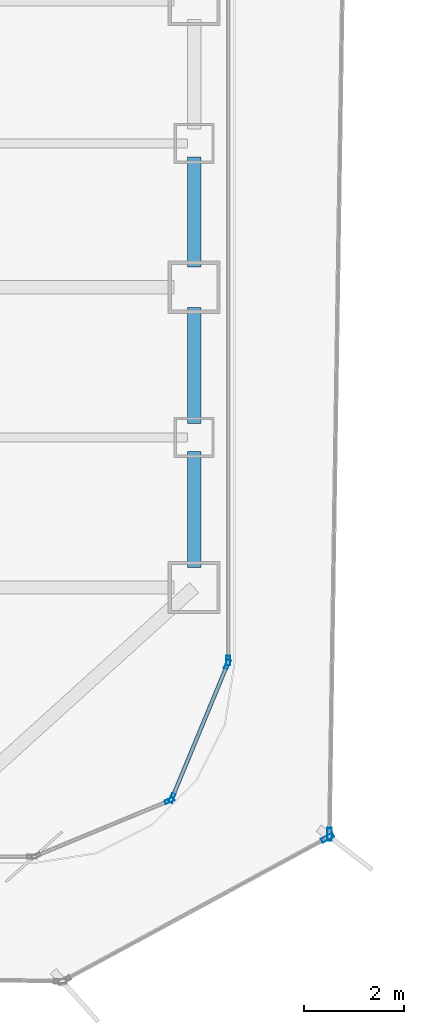
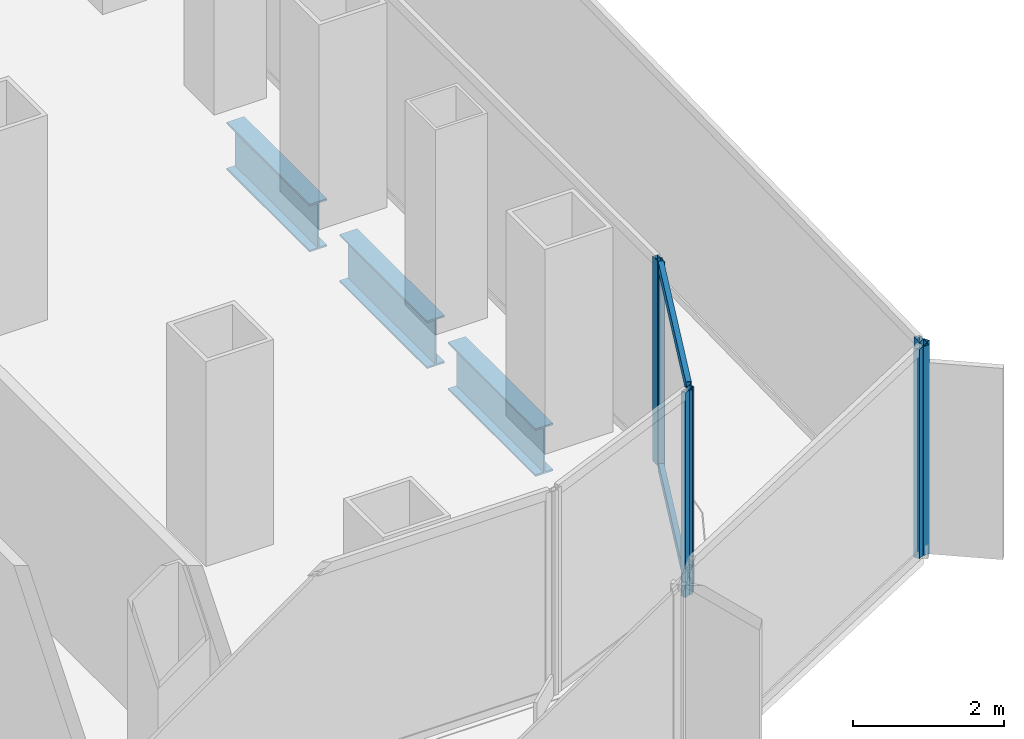
# One storey, part 8 of 22: 8 members, 3 beams, 5 elements without a shape of their own.
"""IFC4 building model written with IfcOpenShell, lengths in metres."""

from ifc_helpers import new_model, si_unit, direction, frame, origin, origin_2d, place, context, subcontext, project, spatial, hollow_rectangle, i_section, extrude, source, transform, mapped, material, layer, layer_set, material_profile, profile_set, type_object, element, aggregate, save


model = new_model("IFC4")

# Units and contexts
model_context = context("Model", 3, precision=1e-05, world=origin(), true_north=direction((0.0, 1.0)))
body_context = subcontext(model_context, "Body", "Model", "MODEL_VIEW")
ifc_project = project(units=[si_unit("LENGTHUNIT", "METRE"), si_unit("AREAUNIT", "SQUARE_METRE"), si_unit("VOLUMEUNIT", "CUBIC_METRE"), si_unit("PLANEANGLEUNIT", "RADIAN"), si_unit("MASSUNIT", "GRAM", prefix="KILO")], contexts=[model_context])

# Site, building, storey
site_placement = place(None, origin())
site = spatial("IfcSite", under=ifc_project, at=site_placement, CompositionType="ELEMENT")
building_placement = place(site_placement, origin())
building = spatial("IfcBuilding", under=site, at=building_placement, Name="Kolveth Station Tower", CompositionType="ELEMENT")
storey_placement = place(building_placement, frame((0.0, 0.0, 54.89990234375)))
storey = spatial("IfcBuildingStorey", under=building, at=storey_placement, Name="L14", CompositionType="ELEMENT", Elevation=54.89990234375)

# Beams
ifc_material_1 = material(Name="Steel S355", Category="steel")
ifc_material_profile_1 = material_profile(ifc_material_1, i_section(OverallWidth=0.26904296875, OverallDepth=0.77490234375, WebThickness=0.01708984375, FlangeThickness=0.0283203125, at=origin_2d()), Name="W760x220")
ifc_profile_set_1 = profile_set([ifc_material_profile_1], Name="Steel S355")
beam_type = type_object("IfcBeamType", Name="Beam_SP1", PredefinedType="SPANDREL", material=ifc_profile_set_1)
shared_shape_1 = source(origin(), body_context, "Body", "SweptSolid", [
    extrude(i_section(OverallWidth=0.26904296875, OverallDepth=0.77490234375, WebThickness=0.01708984375, FlangeThickness=0.0283203125, at=origin_2d()), origin(), (0.0, 0.0, 1.0), 2.320068359375),
])
for number, where, z_axis, x_axis, name in (
    (1, (46.199951171875, 5.89990234375, -0.66748046875), (0.0, 1.0, 0.0), (-1.0, 0.0, 0.0), "L14 Perimeter Spandrel BM-L14-PE-1"),
    (2, (46.199951171875, 8.780029296875, -0.66748046875), (0.0, 1.0, 0.0), (-1.0, 0.0, 0.0), "L14 Perimeter Spandrel BM-L14-PE-2"),
):
    element("IfcBeam", number, at=place(storey_placement, frame(where, z_axis=z_axis, x_axis=x_axis)), inside=storey, type_object=beam_type, Name=name, PredefinedType="SPANDREL", context=body_context, shape_type="MappedRepresentation", body=[
        mapped(shared_shape_1, transform((0.0, 0.0, 0.0), x_axis=(1.0, 0.0, 0.0), y_axis=(0.0, 1.0, 0.0), z_axis=(0.0, 0.0, 1.0), scale=1.0)),
    ])
shared_shape_2 = source(origin(), body_context, "Body", "SweptSolid", [
    extrude(i_section(OverallWidth=0.26904296875, OverallDepth=0.77490234375, WebThickness=0.01708984375, FlangeThickness=0.0283203125, at=origin_2d()), origin(), (0.0, 0.0, 1.0), 2.2001953125),
])
beam_placement = place(storey_placement, frame((46.199951171875, 11.89990234375, -0.66748046875), z_axis=(0.0, 1.0, 0.0), x_axis=(-1.0, 0.0, 0.0)))
element("IfcBeam", 3, at=beam_placement, inside=storey, type_object=beam_type, Name="L14 Perimeter Spandrel BM-L14-PE-3", PredefinedType="SPANDREL", context=body_context, shape_type="MappedRepresentation", body=[
    mapped(shared_shape_2, transform((0.0, 0.0, 0.0), x_axis=(1.0, 0.0, 0.0), y_axis=(0.0, 1.0, 0.0), z_axis=(0.0, 0.0, 1.0), scale=1.0)),
])

# Curtain wall, member
ifc_material_2 = material(Name="Aluminium 6063-T6 and low-E dark glass", Category="aluminium")
ifc_layer_1 = layer(ifc_material_2, 0.179931640625)
ifc_layer_set_1 = layer_set([ifc_layer_1], Name="Aluminium 6063-T6 and low-E dark glass")
curtain_wall_type_1 = type_object("IfcCurtainWallType", Name="CurtainWall_CW-Z1", PredefinedType="NOTDEFINED", material=ifc_layer_set_1)
curtain_wall_1_placement = place(storey_placement, origin())
curtain_wall_1 = element("IfcCurtainWall", 4, at=curtain_wall_1_placement, inside=storey, type_object=curtain_wall_type_1, Name="L14 Inner Thermal Curtain Wall 1", PredefinedType="NOTDEFINED")
ifc_material_3 = material(Name="Black anodized aluminium 6063-T6", Category="aluminium")
ifc_material_profile_2 = material_profile(ifc_material_3, hollow_rectangle(XDim=0.074951171875, YDim=0.18994140625, WallThickness=0.0048828125, at=origin_2d()), Name="ALU-75x190x5")
ifc_profile_set_2 = profile_set([ifc_material_profile_2], Name="Black anodized aluminium 6063-T6")
member_type_1 = type_object("IfcMemberType", Name="Mullion_ML1", PredefinedType="MULLION", material=ifc_profile_set_2)
shared_shape_3 = source(origin(), body_context, "Body", "SweptSolid", [
    extrude(hollow_rectangle(XDim=0.074951171875, YDim=0.18994140625, WallThickness=0.0048828125, at=origin_2d()), origin(), (0.0, 0.0, 1.0), 3.320068359375),
])
member_1_placement = place(storey_placement, frame((45.708984375, 1.241943359375, 0.0), z_axis=(0.0, 0.0, 1.0), x_axis=(-0.382672990201, 0.923883857728, 0.0)))
member_1 = element("IfcMember", 5, at=member_1_placement, type_object=member_type_1, Name="CW-Z1 mullion 2", PredefinedType="MULLION", context=body_context, shape_type="MappedRepresentation", body=[
    mapped(shared_shape_3, transform((0.0, 0.0, 0.0), x_axis=(1.0, 0.0, 0.0), y_axis=(0.0, 1.0, 0.0), z_axis=(0.0, 0.0, 1.0), scale=1.0)),
])
aggregate(curtain_wall_1, [member_1])

# Curtain wall, members
curtain_wall_2_placement = place(storey_placement, origin())
curtain_wall_2 = element("IfcCurtainWall", 6, at=curtain_wall_2_placement, inside=storey, type_object=curtain_wall_type_1, Name="L14 Inner Thermal Curtain Wall 2", PredefinedType="NOTDEFINED")
member_2_placement = place(storey_placement, frame((45.758056640625, 1.291015625, 0.0), z_axis=(0.0, 0.0, 1.0), x_axis=(-0.923883857728, 0.382672990201, 0.0)))
member_2 = element("IfcMember", 7, at=member_2_placement, type_object=member_type_1, Name="CW-Z1 mullion 1", PredefinedType="MULLION", context=body_context, shape_type="MappedRepresentation", body=[
    mapped(shared_shape_3, transform((0.0, 0.0, 0.0), x_axis=(1.0, 0.0, 0.0), y_axis=(0.0, 1.0, 0.0), z_axis=(0.0, 0.0, 1.0), scale=1.0)),
])
member_3_placement = place(storey_placement, frame((46.86572265625, 3.96533203125, 0.0), z_axis=(0.0, 0.0, 1.0), x_axis=(-0.923883857728, 0.382672990201, 0.0)))
member_3 = element("IfcMember", 8, at=member_3_placement, type_object=member_type_1, Name="CW-Z1 mullion 2", PredefinedType="MULLION", context=body_context, shape_type="MappedRepresentation", body=[
    mapped(shared_shape_3, transform((0.0, 0.0, 0.0), x_axis=(1.0, 0.0, 0.0), y_axis=(0.0, 1.0, 0.0), z_axis=(0.0, 0.0, 1.0), scale=1.0)),
])

# Curtain wall, member
curtain_wall_3_placement = place(storey_placement, origin())
curtain_wall_3 = element("IfcCurtainWall", 9, at=curtain_wall_3_placement, inside=storey, type_object=curtain_wall_type_1, Name="L14 Inner Thermal Curtain Wall 3", PredefinedType="NOTDEFINED")
member_4_placement = place(storey_placement, frame((46.8798828125, 4.03759765625, 0.0), z_axis=(0.0, 0.0, 1.0), x_axis=(-1.0, 0.0, 0.0)))
member_4 = element("IfcMember", 10, at=member_4_placement, type_object=member_type_1, Name="CW-Z1 mullion 1", PredefinedType="MULLION", context=body_context, shape_type="MappedRepresentation", body=[
    mapped(shared_shape_3, transform((0.0, 0.0, 0.0), x_axis=(1.0, 0.0, 0.0), y_axis=(0.0, 1.0, 0.0), z_axis=(0.0, 0.0, 1.0), scale=1.0)),
])
aggregate(curtain_wall_3, [member_4])

# Member
ifc_material_profile_3 = material_profile(ifc_material_3, hollow_rectangle(XDim=0.074951171875, YDim=0.159912109375, WallThickness=0.0048828125, at=origin_2d()), Name="ALU-75x160x5")
ifc_profile_set_3 = profile_set([ifc_material_profile_3], Name="Black anodized aluminium 6063-T6")
member_type_2 = type_object("IfcMemberType", Name="Transom_TR1", PredefinedType="USERDEFINED", material=ifc_profile_set_3)
shared_shape_4 = source(origin(), body_context, "Body", "SweptSolid", [
    extrude(hollow_rectangle(XDim=0.074951171875, YDim=0.159912109375, WallThickness=0.0048828125, at=origin_2d()), origin(), (0.0, 0.0, 1.0), 2.819580078125),
])
member_5_placement = place(storey_placement, frame((45.772216796875, 1.32568359375, 0.03759765625), z_axis=(0.382708655389, 0.923869084389, 0.0), x_axis=(-0.923869084389, 0.382708655389, 0.0)))
member_5 = element("IfcMember", 11, at=member_5_placement, type_object=member_type_2, Name="CW-Z1 transom 1.1", ObjectType="TRANSOM", PredefinedType="USERDEFINED", context=body_context, shape_type="MappedRepresentation", body=[
    mapped(shared_shape_4, transform((0.0, 0.0, 0.0), x_axis=(1.0, 0.0, 0.0), y_axis=(0.0, 1.0, 0.0), z_axis=(0.0, 0.0, 1.0), scale=1.0)),
])

member_6_placement = place(storey_placement, frame((45.772216796875, 1.32568359375, 3.28271484375), z_axis=(0.382708655389, 0.923869084389, 0.0), x_axis=(-0.923869084389, 0.382708655389, 0.0)))
member_6 = element("IfcMember", 12, at=member_6_placement, type_object=member_type_2, Name="CW-Z1 transom 1.2", ObjectType="TRANSOM", PredefinedType="USERDEFINED", context=body_context, shape_type="MappedRepresentation", body=[
    mapped(shared_shape_4, transform((0.0, 0.0, 0.0), x_axis=(1.0, 0.0, 0.0), y_axis=(0.0, 1.0, 0.0), z_axis=(0.0, 0.0, 1.0), scale=1.0)),
])

aggregate(curtain_wall_2, [member_2, member_3, member_5, member_6])

# Curtain wall, member
ifc_material_4 = material(Name="Black anodized aluminium 6063-T6 and dark solar glass", Category="aluminium")
ifc_layer_2 = layer(ifc_material_4, 0.159912109375)
ifc_layer_set_2 = layer_set([ifc_layer_2], Name="Black anodized aluminium 6063-T6 and dark solar glass")
curtain_wall_type_2 = type_object("IfcCurtainWallType", Name="OUTER SKIN CW-OS", PredefinedType="NOTDEFINED", material=ifc_layer_set_2)
curtain_wall_4_placement = place(storey_placement, origin())
curtain_wall_4 = element("IfcCurtainWall", 13, at=curtain_wall_4_placement, inside=storey, type_object=curtain_wall_type_2, Name="L14 Outer Ventilated Skin Curtain Wall 1", PredefinedType="NOTDEFINED")
ifc_material_profile_4 = material_profile(ifc_material_3, hollow_rectangle(XDim=0.090087890625, YDim=0.260009765625, WallThickness=0.0048828125, at=origin_2d()), Name="ALU-90x260x5")
ifc_profile_set_4 = profile_set([ifc_material_profile_4], Name="Black anodized aluminium 6063-T6")
member_type_3 = type_object("IfcMemberType", Name="FIN MULLION ML-OS", PredefinedType="MULLION", material=ifc_profile_set_4)
shared_shape_5 = source(origin(), body_context, "Body", "SweptSolid", [
    extrude(hollow_rectangle(XDim=0.090087890625, YDim=0.260009765625, WallThickness=0.0048828125, at=origin_2d()), origin(), (0.0, 0.0, 1.0), 3.39013671875),
])
member_7_placement = place(storey_placement, frame((48.865478515625, 0.49853515625, 0.0), z_axis=(0.0, 0.0, 1.0), x_axis=(-0.476239638256, 0.879315533216, 0.0)))
member_7 = element("IfcMember", 14, at=member_7_placement, type_object=member_type_3, Name="CW-OS mullion 2", PredefinedType="MULLION", context=body_context, shape_type="MappedRepresentation", body=[
    mapped(shared_shape_5, transform((0.0, 0.0, 0.0), x_axis=(1.0, 0.0, 0.0), y_axis=(0.0, 1.0, 0.0), z_axis=(0.0, 0.0, 1.0), scale=1.0)),
])
aggregate(curtain_wall_4, [member_7])

curtain_wall_5_placement = place(storey_placement, origin())
curtain_wall_5 = element("IfcCurtainWall", 15, at=curtain_wall_5_placement, inside=storey, type_object=curtain_wall_type_2, Name="L14 Outer Ventilated Skin Curtain Wall 2", PredefinedType="NOTDEFINED")
member_8_placement = place(storey_placement, frame((48.90576171875, 0.56494140625, 0.0), z_axis=(0.0, 0.0, 1.0), x_axis=(-0.9998823187, 0.015341080531, 0.0)))
member_8 = element("IfcMember", 16, at=member_8_placement, type_object=member_type_3, Name="CW-OS mullion 1", PredefinedType="MULLION", context=body_context, shape_type="MappedRepresentation", body=[
    mapped(shared_shape_5, transform((0.0, 0.0, 0.0), x_axis=(1.0, 0.0, 0.0), y_axis=(0.0, 1.0, 0.0), z_axis=(0.0, 0.0, 1.0), scale=1.0)),
])
aggregate(curtain_wall_5, [member_8])

save(model, "model.ifc")
